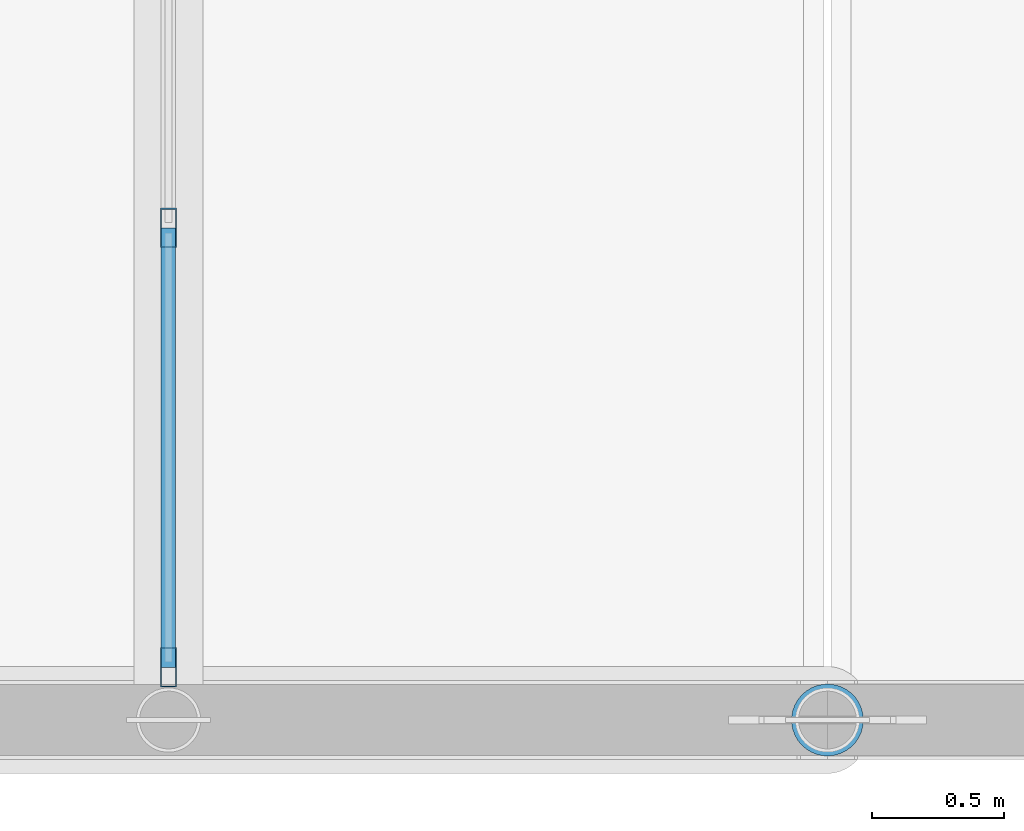
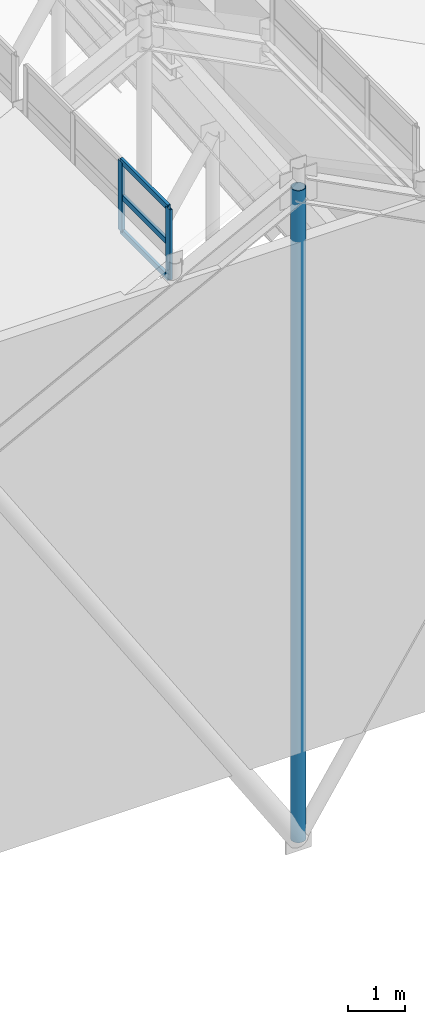
# One storey, part 6 of 84: 6 members, 1 element without a shape of its own.
"""IFC4 building model written with IfcOpenShell, lengths in metres."""

from ifc_helpers import new_model, si_unit, direction, frame, origin, origin_2d, place, context, subcontext, project, spatial, hollow_rectangle, hollow_circle, extrude, material, layer, layer_set, material_profile, profile_set, type_object, element, aggregate, save


model = new_model("IFC4")

# Units and contexts
model_context = context("Model", 3, precision=1e-05, world=origin(), true_north=direction((0.0, 1.0)))
body_context = subcontext(model_context, "Body", "Model", "MODEL_VIEW")
ifc_project = project(units=[si_unit("LENGTHUNIT", "METRE"), si_unit("AREAUNIT", "SQUARE_METRE"), si_unit("VOLUMEUNIT", "CUBIC_METRE"), si_unit("PLANEANGLEUNIT", "RADIAN"), si_unit("MASSUNIT", "GRAM", prefix="KILO")], contexts=[model_context])

# Site, building, storey
site_placement = place(None, origin())
site = spatial("IfcSite", under=ifc_project, at=site_placement, CompositionType="ELEMENT")
building_placement = place(site_placement, origin())
building = spatial("IfcBuilding", under=site, at=building_placement, Name="Sundgate Opera House", CompositionType="ELEMENT")
storey_placement = place(building_placement, frame((0.0, 0.0, 30.60009765625)))
storey = spatial("IfcBuildingStorey", under=building, at=storey_placement, Name="L06", CompositionType="ELEMENT", Elevation=30.60009765625)

# Curtain wall, members
ifc_material_1 = material(Name="Anodized aluminium and low-iron glass", Category="aluminium")
ifc_layer = layer(ifc_material_1, 0.169921875)
ifc_layer_set = layer_set([ifc_layer], Name="Anodized aluminium and low-iron glass")
curtain_wall_type = type_object("IfcCurtainWallType", Name="CW-LANTERN-POLY", PredefinedType="NOTDEFINED", material=ifc_layer_set)
curtain_wall_placement = place(storey_placement, origin())
curtain_wall = element("IfcCurtainWall", 1, at=curtain_wall_placement, inside=storey, type_object=curtain_wall_type, Name="L06 Curtain Wall CW169", PredefinedType="NOTDEFINED")
ifc_material_2 = material(Name="Anodized aluminium EN AW-6063", Category="aluminium")
ifc_material_profile_1 = material_profile(ifc_material_2, hollow_rectangle(XDim=0.06005859375, YDim=0.14990234375, WallThickness=0.00390625, at=origin_2d()), Name="CWM 150x60x4")
ifc_profile_set_1 = profile_set([ifc_material_profile_1], Name="Anodized aluminium EN AW-6063")
member_type_1 = type_object("IfcMemberType", Name="CWM-ALU-150x60", PredefinedType="MULLION", material=ifc_profile_set_1)
member_1_placement = place(storey_placement, frame((51.5, 34.86669921875, 12.0), z_axis=(0.0, 0.0, 1.0), x_axis=(1.0, 0.0, 0.0)))
member_1 = element("IfcMember", 2, at=member_1_placement, type_object=member_type_1, Name="CW169 Mullion 3", PredefinedType="MULLION", context=body_context, shape_type="SweptSolid", body=[
    extrude(hollow_rectangle(XDim=0.06005859375, YDim=0.14990234375, WallThickness=0.00390625, at=origin_2d()), origin(), (0.0, 0.0, 1.0), 1.5),
])
member_2_placement = place(storey_placement, frame((51.5, 33.199951171875, 12.0), z_axis=(0.0, 0.0, 1.0), x_axis=(1.0, 0.0, 0.0)))
member_2 = element("IfcMember", 3, at=member_2_placement, type_object=member_type_1, Name="CW169 Mullion 4", PredefinedType="MULLION", context=body_context, shape_type="SweptSolid", body=[
    extrude(hollow_rectangle(XDim=0.06005859375, YDim=0.14990234375, WallThickness=0.00390625, at=origin_2d()), origin(), (0.0, 0.0, 1.0), 1.5),
])
ifc_material_3 = material(Name="Anodized aluminium EN AW-6063", Category="aluminium")
ifc_material_profile_2 = material_profile(ifc_material_3, hollow_rectangle(XDim=0.054931640625, YDim=0.1201171875, WallThickness=0.00390625, at=origin_2d()), Name="CWT 120x55x4")
ifc_profile_set_2 = profile_set([ifc_material_profile_2], Name="Anodized aluminium EN AW-6063")
member_type_2 = type_object("IfcMemberType", Name="CWT-ALU-120x55", PredefinedType="USERDEFINED", material=ifc_profile_set_2)
member_3_placement = place(storey_placement, frame((51.5, 34.86669921875, 12.0), z_axis=(0.0, -1.0, 0.0), x_axis=(1.0, 0.0, 0.0)))
member_3 = element("IfcMember", 4, at=member_3_placement, type_object=member_type_2, Name="CW169 Transom 7", ObjectType="TRANSOM", PredefinedType="USERDEFINED", context=body_context, shape_type="SweptSolid", body=[
    extrude(hollow_rectangle(XDim=0.054931640625, YDim=0.1201171875, WallThickness=0.00390625, at=origin_2d()), origin(), (0.0, 0.0, 1.0), 1.666748046875),
])
member_4_placement = place(storey_placement, frame((51.5, 34.86669921875, 12.75), z_axis=(0.0, -1.0, 0.0), x_axis=(1.0, 0.0, 0.0)))
member_4 = element("IfcMember", 5, at=member_4_placement, type_object=member_type_2, Name="CW169 Transom 8", ObjectType="TRANSOM", PredefinedType="USERDEFINED", context=body_context, shape_type="SweptSolid", body=[
    extrude(hollow_rectangle(XDim=0.054931640625, YDim=0.1201171875, WallThickness=0.00390625, at=origin_2d()), origin(), (0.0, 0.0, 1.0), 1.666748046875),
])
member_5_placement = place(storey_placement, frame((51.5, 34.86669921875, 13.5), z_axis=(0.0, -1.0, 0.0), x_axis=(1.0, 0.0, 0.0)))
member_5 = element("IfcMember", 6, at=member_5_placement, type_object=member_type_2, Name="CW169 Transom 9", ObjectType="TRANSOM", PredefinedType="USERDEFINED", context=body_context, shape_type="SweptSolid", body=[
    extrude(hollow_rectangle(XDim=0.054931640625, YDim=0.1201171875, WallThickness=0.00390625, at=origin_2d()), origin(), (0.0, 0.0, 1.0), 1.666748046875),
])
aggregate(curtain_wall, [member_1, member_2, member_3, member_4, member_5])

# Member
ifc_material_4 = material(Name="Steel S355J2", Category="steel")
ifc_material_profile_3 = material_profile(ifc_material_4, hollow_circle(Radius=0.136474609375, WallThickness=0.01611328125, at=origin_2d()), Name="CHS 273.0x16.0")
ifc_profile_set_3 = profile_set([ifc_material_profile_3], Name="Steel S355J2")
member_type_3 = type_object("IfcMemberType", Name="MB-STRUT-CHS273", PredefinedType="STRUT", material=ifc_profile_set_3)
member_6_placement = place(storey_placement, frame((54.0, 33.0, -0.760009765625), z_axis=(0.0, 0.0, 1.0), x_axis=(1.0, 0.0, 0.0)))
element("IfcMember", 7, at=member_6_placement, inside=storey, type_object=member_type_3, Name="L06 Auditorium Truss Vertical Post M0050", PredefinedType="STRUT", context=body_context, shape_type="SweptSolid", body=[
    extrude(hollow_circle(Radius=0.136474609375, WallThickness=0.01611328125, at=origin_2d()), origin(), (0.0, 0.0, 1.0), 13.9599609375),
])

save(model, "model.ifc")
